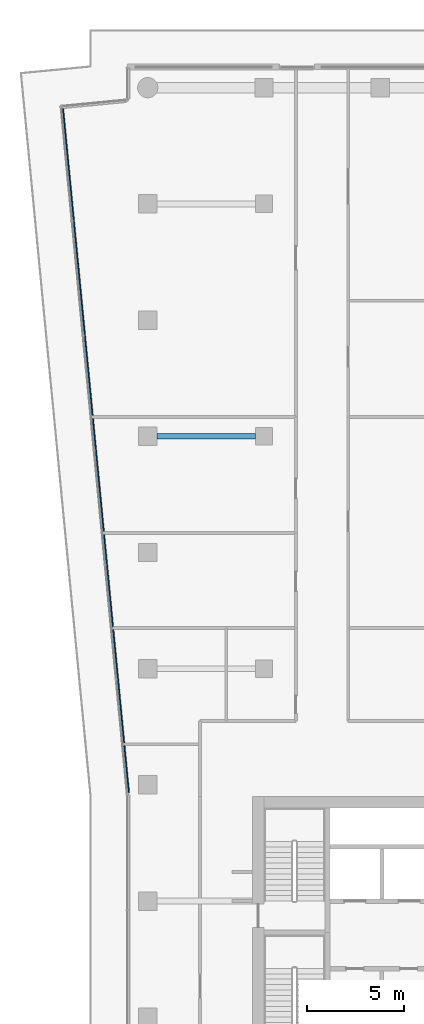
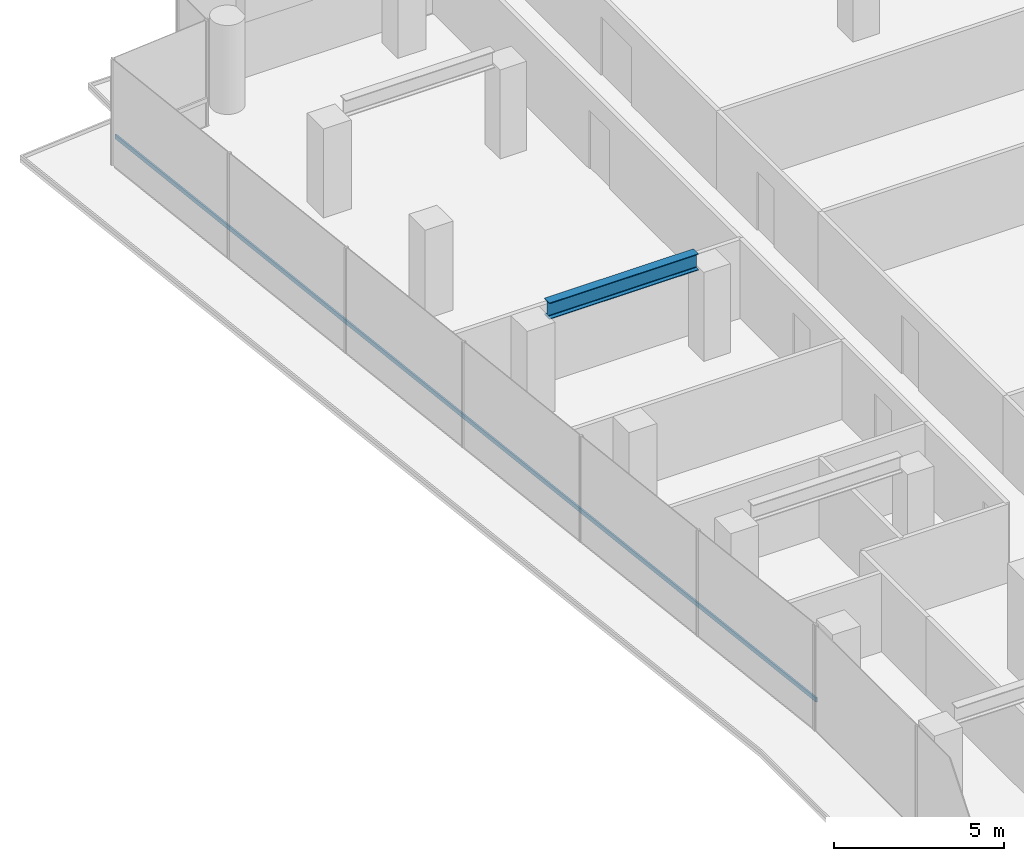
# One storey, part 11 of 22: 1 beam, 1 member, 1 element without a shape of its own.
"""IFC4 building model written with IfcOpenShell, lengths in metres."""

from ifc_helpers import new_model, si_unit, direction, frame, origin, origin_2d, place, context, subcontext, project, spatial, rectangle, i_section, extrude, material, layer, layer_set, material_profile, profile_set, type_object, element, aggregate, save


model = new_model("IFC4")

# Units and contexts
model_context = context("Model", 3, precision=1e-05, world=origin(), true_north=direction((0.0, 1.0)))
body_context = subcontext(model_context, "Body", "Model", "MODEL_VIEW")
ifc_project = project(units=[si_unit("LENGTHUNIT", "METRE"), si_unit("AREAUNIT", "SQUARE_METRE"), si_unit("VOLUMEUNIT", "CUBIC_METRE"), si_unit("PLANEANGLEUNIT", "RADIAN"), si_unit("MASSUNIT", "GRAM", prefix="KILO")], contexts=[model_context])

# Site, building, storey
site_placement = place(None, origin())
site = spatial("IfcSite", under=ifc_project, at=site_placement, CompositionType="ELEMENT")
building_placement = place(site_placement, origin())
building = spatial("IfcBuilding", under=site, at=building_placement, Name="Welwitschia Terrace Campus", CompositionType="ELEMENT")
storey_placement = place(building_placement, frame((0.0, 0.0, 192.800048828125)))
storey = spatial("IfcBuildingStorey", under=building, at=storey_placement, Name="L43", CompositionType="ELEMENT", Elevation=192.800048828125)

# Beam
ifc_material_1 = material(Name="Steel S355", Category="steel")
ifc_material_profile_1 = material_profile(ifc_material_1, i_section(OverallWidth=0.300048828125, OverallDepth=0.590087890625, WebThickness=0.012939453125, FlangeThickness=0.02490234375, FilletRadius=0.027099609375, at=origin_2d()))
ifc_profile_set_1 = profile_set([ifc_material_profile_1], Name="Steel S355")
beam_type = type_object("IfcBeamType", Name="Primary beam HE 600 A", PredefinedType="BEAM", material=ifc_profile_set_1)
beam_placement = place(storey_placement, frame((0.4755859375, 44.0, 3.39501953125), z_axis=(1.0, 0.0, 0.0), x_axis=(0.0, 1.0, 0.0)))
element("IfcBeam", 1, at=beam_placement, inside=storey, type_object=beam_type, Name="Primary beam PB4", PredefinedType="BEAM", context=body_context, shape_type="SweptSolid", body=[
    extrude(i_section(OverallWidth=0.300048828125, OverallDepth=0.590087890625, WebThickness=0.012939453125, FlangeThickness=0.02490234375, FilletRadius=0.027099609375, at=origin_2d()), origin(), (0.0, 0.0, 1.0), 5.073974609375),
])

# Curtain wall, member
ifc_material_2 = material(Name="Bronze anodised aluminium", Category="aluminium")
ifc_layer = layer(ifc_material_2, 0.1201171875)
ifc_layer_set = layer_set([ifc_layer], Name="Bronze anodised aluminium")
curtain_wall_type = type_object("IfcCurtainWallType", Name="Curtain wall CW2 tower 6000", PredefinedType="NOTDEFINED", material=ifc_layer_set)
curtain_wall_placement = place(storey_placement, origin())
curtain_wall = element("IfcCurtainWall", 2, at=curtain_wall_placement, inside=storey, type_object=curtain_wall_type, Name="CW L43.0.0", PredefinedType="NOTDEFINED")
ifc_material_3 = material(Name="Bronze anodised aluminium", Category="aluminium")
ifc_material_profile_2 = material_profile(ifc_material_3, rectangle(XDim=0.06005859375, YDim=0.14990234375, at=origin_2d()))
ifc_profile_set_2 = profile_set([ifc_material_profile_2], Name="Bronze anodised aluminium")
member_type = type_object("IfcMemberType", Name="Transom 60x150", PredefinedType="USERDEFINED", material=ifc_profile_set_2)
member_placement = place(storey_placement, frame((-4.3828125, 60.9912109375, 1.0), z_axis=(0.095848970969, -0.995395888461, 0.0), x_axis=(0.995395888461, 0.095848970969, 0.0)))
member = element("IfcMember", 3, at=member_placement, type_object=member_type, Name="Transom L43.0.0", ObjectType="TRANSOM", PredefinedType="USERDEFINED", context=body_context, shape_type="SweptSolid", body=[
    extrude(rectangle(XDim=0.06005859375, YDim=0.14990234375, at=origin_2d()), origin(), (0.0, 0.0, 1.0), 35.563232421875),
])
aggregate(curtain_wall, [member])

save(model, "model.ifc")
